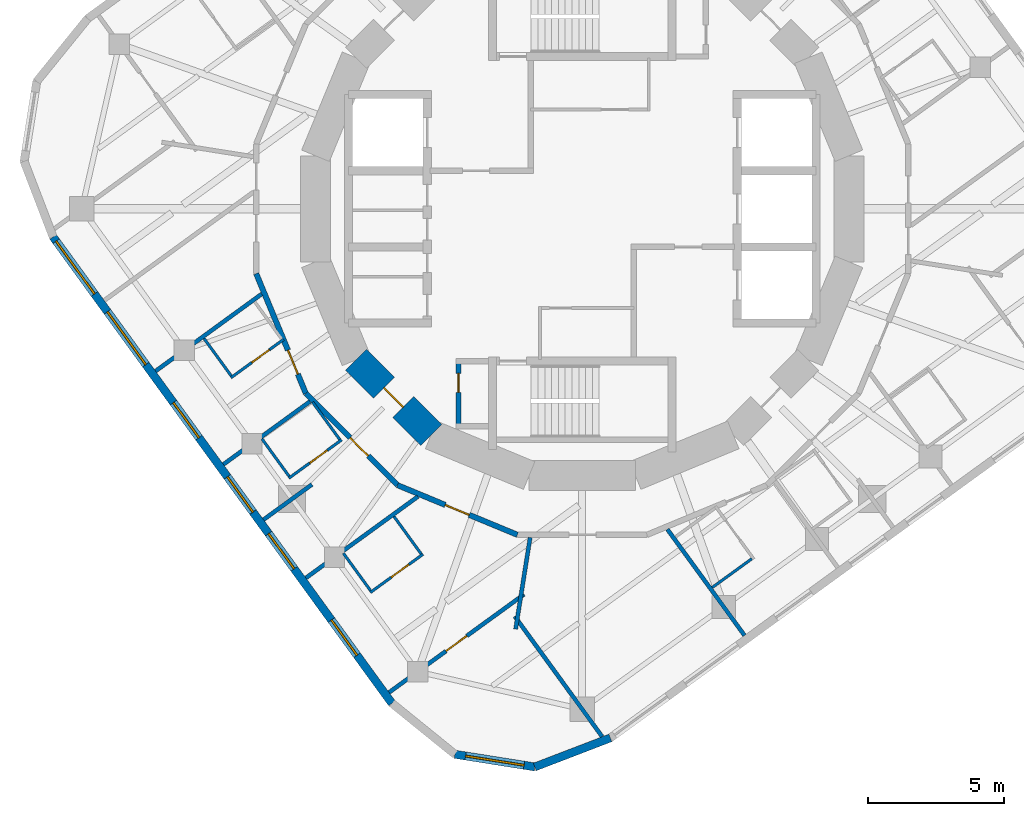
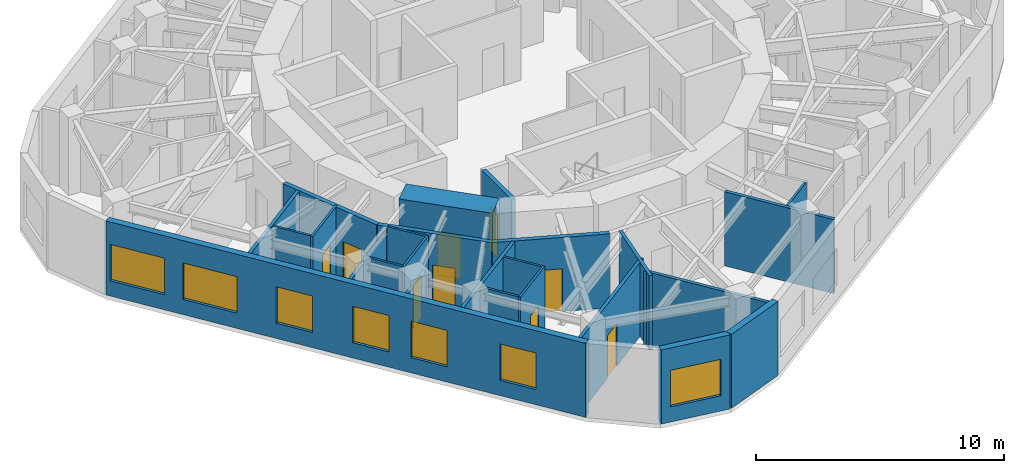
# One storey, part 3 of 9: 25 walls, 9 doors, 7 windows, 16 openings.
"""IFC4 building model written with IfcOpenShell, lengths in metres."""

import ifcopenshell
import ifcopenshell.guid

model = None  # the IFC model being written
_history = None  # IfcOwnerHistory: only IFC2X3 demands one
_inside = {}  # id of a spatial element -> (the spatial element, [elements in it])
_under = {}  # id of a project, library or spatial element -> (it, [spatial elements below it])
_declared = {}  # id of a project -> (the project, [libraries it declares])
_typed = {}  # id of a type object -> (the type object, [elements of that type])
_made_of = {}  # id of a material, layer set ... -> (it, [elements and type objects made of it])


def new_model(schema):
    """Start an empty IFC model of exactly this schema.

    Asked for "IFC4X3", IfcOpenShell would pick the latest addendum, in which some entities
    have other attributes; the version numbers below select the first issue.
    IFC2X3 requires an IfcOwnerHistory on every rooted entity: one is made here for all.
    """
    global model, _history
    if schema == "IFC4X3":
        model = ifcopenshell.file(schema_version=(4, 3, 0, 0))
    else:
        model = ifcopenshell.file(schema=schema)
    _inside.clear()
    _under.clear()
    _declared.clear()
    _typed.clear()
    _made_of.clear()
    _history = None
    if model.schema == "IFC2X3":
        org = make("IfcOrganization", Name="unknown")
        user = make(
            "IfcPersonAndOrganization",
            ThePerson=make("IfcPerson", FamilyName="unknown"),
            TheOrganization=org,
        )
        app = make(
            "IfcApplication",
            ApplicationDeveloper=org,
            Version="unknown",
            ApplicationFullName="unknown",
            ApplicationIdentifier="unknown",
        )
        _history = make(
            "IfcOwnerHistory",
            OwningUser=user,
            OwningApplication=app,
            ChangeAction="ADDED",
            CreationDate=0,
        )
    return model


def make(cls, **values):
    """One entity of the class cls with the attributes given. An attribute that is None is left unset."""
    return model.create_entity(
        cls, **{name: value for name, value in values.items() if value is not None}
    )


def rooted(cls, **values):
    """An entity with a GlobalId (a new one), such as an element, a storey or a relation."""
    return make(cls, GlobalId=ifcopenshell.guid.new(), OwnerHistory=_history, **values)


def si_unit(unit_type, name, prefix=None):
    """IfcSIUnit, for example si_unit("LENGTHUNIT", "METRE", prefix="MILLI")."""
    return make("IfcSIUnit", UnitType=unit_type, Prefix=prefix, Name=name)


def assignment(units):
    """IfcUnitAssignment: the units of a project."""
    return None if units is None else make("IfcUnitAssignment", Units=units)


def point(xyz):
    """IfcCartesianPoint."""
    return None if xyz is None else make("IfcCartesianPoint", Coordinates=xyz)


def direction(xyz):
    """IfcDirection."""
    return None if xyz is None else make("IfcDirection", DirectionRatios=xyz)


def frame(location, z_axis=None, x_axis=None):
    """IfcAxis2Placement3D, a coordinate frame: its origin and axes. An axis left out is left unset."""
    return make(
        "IfcAxis2Placement3D",
        Location=point(location),
        Axis=direction(z_axis),
        RefDirection=direction(x_axis),
    )


def frame_2d(location, x_axis=None):
    """IfcAxis2Placement2D, a coordinate frame in the plane: its origin and x axis."""
    return make(
        "IfcAxis2Placement2D", Location=point(location), RefDirection=direction(x_axis)
    )


def origin():
    """The frame at (0, 0, 0) with its axes left unset."""
    return frame((0.0, 0.0, 0.0))


def place(relative_to, where):
    """IfcLocalPlacement: puts the frame where relative to a parent placement (None: the world)."""
    return make(
        "IfcLocalPlacement", PlacementRelTo=relative_to, RelativePlacement=where
    )


def context(
    kind, dimensions, precision=None, world=None, true_north=None, identifier=None
):
    """IfcGeometricRepresentationContext, for example the 3D "Model" context."""
    return make(
        "IfcGeometricRepresentationContext",
        ContextIdentifier=identifier,
        ContextType=kind,
        CoordinateSpaceDimension=dimensions,
        Precision=precision,
        WorldCoordinateSystem=world,
        TrueNorth=true_north,
    )


def subcontext(parent, identifier, kind, view, scale=None):
    """IfcGeometricRepresentationSubContext, for example "Body" below "Model"."""
    return make(
        "IfcGeometricRepresentationSubContext",
        ContextIdentifier=identifier,
        ContextType=kind,
        ParentContext=parent,
        TargetScale=scale,
        TargetView=view,
    )


def project(units=None, contexts=None):
    """IfcProject with its units and contexts."""
    return rooted(
        "IfcProject",
        Name="project",
        RepresentationContexts=contexts,
        UnitsInContext=assignment(units),
    )


def spatial(cls, under=None, at=None, **own):
    """A site, building, storey or space (cls), placed at a placement, below another one or the project."""
    s = rooted(cls, ObjectPlacement=at, **own)
    if under is not None:
        _under.setdefault(under.id(), (under, []))[1].append(s)
    return s


def profile(cls, at=None, kind="AREA", **sizes):
    """A parametric profile (cls). Its sizes go by their IFC names, for example OverallWidth=200.0."""
    return make(cls, ProfileType=kind, Position=at, **sizes)


def rectangle(**sizes):
    """IfcRectangleProfileDef."""
    return profile("IfcRectangleProfileDef", **sizes)


def extrude(swept, where, along, depth):
    """IfcExtrudedAreaSolid: the profile swept, set in the frame where, extruded along a direction by depth."""
    return make(
        "IfcExtrudedAreaSolid",
        SweptArea=swept,
        Position=where,
        ExtrudedDirection=direction(along),
        Depth=depth,
    )


def shape(context_of_items, identifier, shape_type, items):
    """IfcShapeRepresentation: the items that make up one representation, for example the "Body"."""
    return make(
        "IfcShapeRepresentation",
        ContextOfItems=context_of_items,
        RepresentationIdentifier=identifier,
        RepresentationType=shape_type,
        Items=items,
    )


def material(Name=None, Category=None):
    """IfcMaterial."""
    return make("IfcMaterial", Name=Name, Category=Category)


def layer(
    of_material, thickness, ventilated=None, Name=None, Category=None, Priority=None
):
    """IfcMaterialLayer: one layer of a wall or slab, of a material (None: an air gap)."""
    return make(
        "IfcMaterialLayer",
        Material=of_material,
        LayerThickness=thickness,
        IsVentilated=ventilated,
        Name=Name,
        Category=Category,
        Priority=Priority,
    )


def layer_set(layers, Name=None):
    """IfcMaterialLayerSet."""
    return make("IfcMaterialLayerSet", MaterialLayers=layers, LayerSetName=Name)


def made_of(thing, what):
    """Note that an element or type object is made of a material, layer set ...; save() writes the relation."""
    if what is not None:
        _made_of.setdefault(what.id(), (what, []))[1].append(thing)
    return thing


def type_object(cls, material=None, **own):
    """A type object (cls), such as IfcWallType, which elements share."""
    return made_of(rooted(cls, **own), material)


def element(
    cls,
    number,
    at=None,
    inside=None,
    cuts=None,
    type_object=None,
    material=None,
    context=None,
    identifier="Body",
    shape_type=None,
    held_by="IfcProductDefinitionShape",
    body=None,
    shapes=None,
    **own,
):
    """One element of the class cls, such as IfcWall. Its Tag is "e" and its number.

    at: its placement. inside: the storey or other place that contains it. cuts: it is an
    opening in that element (IfcRelVoidsElement). A single representation is given by context,
    identifier, shape_type and body (its items); several are given by shapes. held_by: the class
    of the entity that holds the representations. save() writes the other relations.
    """
    e = rooted(cls, Tag="e%d" % number, ObjectPlacement=at, **own)
    if body is not None:
        shapes = [shape(context, identifier, shape_type, body)]
    if shapes is not None:
        e.Representation = make(held_by, Representations=shapes)
    if inside is not None:
        _inside.setdefault(inside.id(), (inside, []))[1].append(e)
    if cuts is not None:
        rooted(
            "IfcRelVoidsElement", RelatingBuildingElement=cuts, RelatedOpeningElement=e
        )
    if type_object is not None:
        _typed.setdefault(type_object.id(), (type_object, []))[1].append(e)
    return made_of(e, material)


def fill(opening, filler):
    """IfcRelFillsElement: the door or window that sits in an opening."""
    return rooted(
        "IfcRelFillsElement",
        RelatingOpeningElement=opening,
        RelatedBuildingElement=filler,
    )


def aggregate(whole, parts):
    """IfcRelAggregates: a whole, such as a stair, and the parts it consists of."""
    return rooted("IfcRelAggregates", RelatingObject=whole, RelatedObjects=parts)


def save(model, path):
    """Write the relations noted so far, then the file.

    IfcRelAggregates (storeys below a building ...), IfcRelContainedInSpatialStructure (elements
    in a storey), IfcRelDefinesByType, IfcRelAssociatesMaterial and IfcRelDeclares: one each for
    every whole, place, type object, material and project.
    """
    for whole, parts in _under.values():
        aggregate(whole, parts)
    for where, things in _inside.values():
        rooted(
            "IfcRelContainedInSpatialStructure",
            RelatedElements=things,
            RelatingStructure=where,
        )
    for kind, things in _typed.values():
        rooted("IfcRelDefinesByType", RelatedObjects=things, RelatingType=kind)
    for what, things in _made_of.values():
        rooted("IfcRelAssociatesMaterial", RelatedObjects=things, RelatingMaterial=what)
    for by, libraries in _declared.values():
        rooted("IfcRelDeclares", RelatingContext=by, RelatedDefinitions=libraries)
    model.write(path)


model = new_model("IFC4")

# Units and contexts
model_context = context("Model", 3, precision=1e-05, world=origin(), true_north=direction((0.0, 1.0)))
body_context = subcontext(model_context, "Body", "Model", "MODEL_VIEW")
ifc_project = project(units=[si_unit("LENGTHUNIT", "METRE"), si_unit("AREAUNIT", "SQUARE_METRE"), si_unit("VOLUMEUNIT", "CUBIC_METRE"), si_unit("PLANEANGLEUNIT", "RADIAN"), si_unit("MASSUNIT", "GRAM", prefix="KILO")], contexts=[model_context])

# Site, building, storey
site_placement = place(None, origin())
site = spatial("IfcSite", under=ifc_project, at=site_placement, CompositionType="ELEMENT")
building_placement = place(site_placement, origin())
building = spatial("IfcBuilding", under=site, at=building_placement, Name="Nakasero Lantern House", CompositionType="ELEMENT")
storey_placement = place(building_placement, frame((0.0, 0.0, 275.300048828125)))
storey = spatial("IfcBuildingStorey", under=building, at=storey_placement, Name="L67", CompositionType="ELEMENT", Elevation=275.300048828125)

# Wall, opening, door
ifc_material_1 = material(Name="Concrete C50/60", Category="concrete")
ifc_layer_1 = layer(ifc_material_1, 1.10009765625)
ifc_layer_set_1 = layer_set([ifc_layer_1], Name="Core wall 1100")
wall_type_1 = type_object("IfcWallType", Name="Core wall 1100", PredefinedType="SHEAR", material=ifc_layer_set_1)
wall_1_placement = place(storey_placement, frame((-8.314697265625, -5.5556640625, 0.0), z_axis=(0.0, 0.0, 1.0), x_axis=(0.707106781187, -0.707106781187, 0.0)))
wall_1 = element("IfcWall", 1, at=wall_1_placement, inside=storey, type_object=wall_type_1, Name="Core wall L67 facet 10", PredefinedType="SHEAR", context=body_context, shape_type="SweptSolid", body=[
    extrude(rectangle(XDim=3.90185546875, YDim=1.10009765625, at=frame_2d((1.950927734375, 0.0))), origin(), (0.0, 0.0, 1.0), 3.849853515625),
])
opening_1_placement = place(wall_1_placement, frame((1.450927734375, 0.0, 0.0)))
opening_1 = element("IfcOpeningElement", 2, at=opening_1_placement, cuts=wall_1, Name="Opening D05", PredefinedType="OPENING", context=body_context, shape_type="SweptSolid", body=[
    extrude(rectangle(XDim=1.0, YDim=2.10009765625, at=frame_2d((0.5, 1.050048828125))), frame((0.0, 0.570068359375, 0.0), z_axis=(0.0, -1.0, 0.0), x_axis=(1.0, 0.0, 0.0)), (0.0, 0.0, 1.0), 1.14013671875),
])
ifc_material_2 = material(Name="Timber C24", Category="wood")
door_type_1 = type_object("IfcDoorType", Name="Core door FD60S 1000", OperationType="SINGLE_SWING_LEFT", PredefinedType="DOOR", material=ifc_material_2)
door_1_placement = place(opening_1_placement, origin())
door_1 = element("IfcDoor", 3, at=door_1_placement, inside=storey, type_object=door_type_1, Name="Door L67 D-CORE10", OperationType="SINGLE_SWING_LEFT", OverallHeight=2.10009765625, OverallWidth=1.0, PredefinedType="DOOR", context=body_context, shape_type="SweptSolid", body=[
    extrude(rectangle(XDim=1.0, YDim=2.10009765625, at=frame_2d((0.5, 1.050048828125))), frame((0.0, 0.02490234375, 0.0), z_axis=(0.0, -1.0, 0.0), x_axis=(1.0, 0.0, 0.0)), (0.0, 0.0, 1.0), 0.050048828125),
])
fill(opening_1, door_1)

ifc_material_3 = material(Name="Blockwork", Category="masonry")
ifc_layer_2 = layer(ifc_material_3, 0.199951171875)
ifc_layer_set_2 = layer_set([ifc_layer_2], Name="Corridor wall 200")
wall_type_2 = type_object("IfcWallType", Name="Corridor wall 200", PredefinedType="PARTITIONING", material=ifc_layer_set_2)
wall_2_placement = place(storey_placement, frame((-2.384521484375, -11.98779296875, 0.0), z_axis=(0.0, 0.0, 1.0), x_axis=(-0.923885182372, 0.382669792111, 0.0)))
wall_2 = element("IfcWall", 4, at=wall_2_placement, inside=storey, type_object=wall_type_2, Name="Corridor wall L67 RC05a", PredefinedType="PARTITIONING", context=body_context, shape_type="SweptSolid", body=[
    extrude(rectangle(XDim=4.76904296875, YDim=0.199951171875, at=frame_2d((2.384521484375, 0.0))), origin(), (0.0, 0.0, 1.0), 3.64990234375),
])
opening_2_placement = place(wall_2_placement, frame((1.919921875, 0.0, 0.0)))
opening_2 = element("IfcOpeningElement", 5, at=opening_2_placement, cuts=wall_2, Name="Opening D01", PredefinedType="OPENING", context=body_context, shape_type="SweptSolid", body=[
    extrude(rectangle(XDim=0.949951171875, YDim=2.10009765625, at=frame_2d((0.47509765625, 1.050048828125))), frame((0.0, 0.119873046875, 0.0), z_axis=(0.0, -1.0, 0.0), x_axis=(1.0, 0.0, 0.0)), (0.0, 0.0, 1.0), 0.239990234375),
])
ifc_material_4 = material(Name="Timber C24", Category="wood")
door_type_2 = type_object("IfcDoorType", Name="Bedroom door FD30S 950", OperationType="SINGLE_SWING_LEFT", PredefinedType="DOOR", material=ifc_material_4)
door_2_placement = place(opening_2_placement, origin())
door_2 = element("IfcDoor", 6, at=door_2_placement, inside=storey, type_object=door_type_2, Name="Door L67 D2-06", OperationType="SINGLE_SWING_RIGHT", OverallHeight=2.10009765625, OverallWidth=0.949951171875, PredefinedType="DOOR", context=body_context, shape_type="SweptSolid", body=[
    extrude(rectangle(XDim=0.949951171875, YDim=2.10009765625, at=frame_2d((0.47509765625, 1.050048828125))), frame((0.0, 0.02490234375, 0.0), z_axis=(0.0, -1.0, 0.0), x_axis=(1.0, 0.0, 0.0)), (0.0, 0.0, 1.0), 0.050048828125),
])
fill(opening_2, door_2)

wall_3_placement = place(storey_placement, frame((-6.79052734375, -10.162841796875, 0.0), z_axis=(0.0, 0.0, 1.0), x_axis=(-0.707106781187, 0.707106781187, 0.0)))
wall_3 = element("IfcWall", 7, at=wall_3_placement, inside=storey, type_object=wall_type_2, Name="Corridor wall L67 RC06a", PredefinedType="PARTITIONING", context=body_context, shape_type="SweptSolid", body=[
    extrude(rectangle(XDim=4.769287109375, YDim=0.199951171875, at=frame_2d((2.384765625, 0.0))), origin(), (0.0, 0.0, 1.0), 3.64990234375),
])
opening_3_placement = place(wall_3_placement, frame((1.52001953125, 0.0, 0.0)))
opening_3 = element("IfcOpeningElement", 8, at=opening_3_placement, cuts=wall_3, Name="Opening D01", PredefinedType="OPENING", context=body_context, shape_type="SweptSolid", body=[
    extrude(rectangle(XDim=0.949951171875, YDim=2.10009765625, at=frame_2d((0.47509765625, 1.050048828125))), frame((0.0, 0.119873046875, 0.0), z_axis=(0.0, -1.0, 0.0), x_axis=(1.0, 0.0, 0.0)), (0.0, 0.0, 1.0), 0.239990234375),
])
door_3_placement = place(opening_3_placement, origin())
door_3 = element("IfcDoor", 9, at=door_3_placement, inside=storey, type_object=door_type_2, Name="Door L67 D2-04", OperationType="SINGLE_SWING_LEFT", OverallHeight=2.10009765625, OverallWidth=0.949951171875, PredefinedType="DOOR", context=body_context, shape_type="SweptSolid", body=[
    extrude(rectangle(XDim=0.949951171875, YDim=2.10009765625, at=frame_2d((0.47509765625, 1.050048828125))), frame((0.0, 0.02490234375, 0.0), z_axis=(0.0, -1.0, 0.0), x_axis=(1.0, 0.0, 0.0)), (0.0, 0.0, 1.0), 0.050048828125),
])
fill(opening_3, door_3)

wall_4_placement = place(storey_placement, frame((-10.162841796875, -6.79052734375, 0.0), z_axis=(0.0, 0.0, 1.0), x_axis=(-0.382669792111, 0.923885182372, 0.0)))
wall_4 = element("IfcWall", 10, at=wall_4_placement, inside=storey, type_object=wall_type_2, Name="Corridor wall L67 RC07a", PredefinedType="PARTITIONING", context=body_context, shape_type="SweptSolid", body=[
    extrude(rectangle(XDim=4.76904296875, YDim=0.199951171875, at=frame_2d((2.384521484375, 0.0))), origin(), (0.0, 0.0, 1.0), 3.64990234375),
])
opening_4_placement = place(wall_4_placement, frame((0.77001953125, 0.0, 0.0)))
opening_4 = element("IfcOpeningElement", 11, at=opening_4_placement, cuts=wall_4, Name="Opening D01", PredefinedType="OPENING", context=body_context, shape_type="SweptSolid", body=[
    extrude(rectangle(XDim=0.949951171875, YDim=2.10009765625, at=frame_2d((0.47509765625, 1.050048828125))), frame((0.0, 0.119873046875, 0.0), z_axis=(0.0, -1.0, 0.0), x_axis=(1.0, 0.0, 0.0)), (0.0, 0.0, 1.0), 0.239990234375),
])
door_4_placement = place(opening_4_placement, origin())
door_4 = element("IfcDoor", 12, at=door_4_placement, inside=storey, type_object=door_type_2, Name="Door L67 D2-03", OperationType="SINGLE_SWING_LEFT", OverallHeight=2.10009765625, OverallWidth=0.949951171875, PredefinedType="DOOR", context=body_context, shape_type="SweptSolid", body=[
    extrude(rectangle(XDim=0.949951171875, YDim=2.10009765625, at=frame_2d((0.47509765625, 1.050048828125))), frame((0.0, 0.02490234375, 0.0), z_axis=(0.0, -1.0, 0.0), x_axis=(1.0, 0.0, 0.0)), (0.0, 0.0, 1.0), 0.050048828125),
])
fill(opening_4, door_4)

ifc_material_5 = material(Name="Blockwork", Category="masonry")
ifc_layer_3 = layer(ifc_material_5, 0.10009765625)
ifc_layer_set_3 = layer_set([ifc_layer_3], Name="En-suite wall 100")
wall_type_3 = type_object("IfcWallType", Name="En-suite wall 100", PredefinedType="PARTITIONING", material=ifc_layer_set_3)
wall_5_placement = place(storey_placement, frame((-10.97705078125, -4.80126953125, 0.0), z_axis=(0.0, 0.0, 1.0), x_axis=(-0.809026317077, -0.587772420479, 0.0)))
wall_5 = element("IfcWall", 13, at=wall_5_placement, inside=storey, type_object=wall_type_3, Name="En-suite wall L67 ES2-03", PredefinedType="PARTITIONING", context=body_context, shape_type="SweptSolid", body=[
    extrude(rectangle(XDim=2.39990234375, YDim=0.10009765625, at=frame_2d((1.199951171875, 0.0))), origin(), (0.0, 0.0, 1.0), 3.64990234375),
])
opening_5_placement = place(wall_5_placement, frame((0.64990234375, 0.0, 0.0)))
opening_5 = element("IfcOpeningElement", 14, at=opening_5_placement, cuts=wall_5, Name="Opening D02", PredefinedType="OPENING", context=body_context, shape_type="SweptSolid", body=[
    extrude(rectangle(XDim=0.800048828125, YDim=2.10009765625, at=frame_2d((0.39990234375, 1.050048828125))), frame((0.0, 0.070068359375, 0.0), z_axis=(0.0, -1.0, 0.0), x_axis=(1.0, 0.0, 0.0)), (0.0, 0.0, 1.0), 0.14013671875),
])
ifc_material_6 = material(Name="Timber C24", Category="wood")
door_type_3 = type_object("IfcDoorType", Name="En-suite door 800", OperationType="SINGLE_SWING_RIGHT", PredefinedType="DOOR", material=ifc_material_6)
door_5_placement = place(opening_5_placement, origin())
door_5 = element("IfcDoor", 15, at=door_5_placement, inside=storey, type_object=door_type_3, Name="Door L67 DE2-03", OperationType="SINGLE_SWING_LEFT", OverallHeight=2.10009765625, OverallWidth=0.800048828125, PredefinedType="DOOR", context=body_context, shape_type="SweptSolid", body=[
    extrude(rectangle(XDim=0.800048828125, YDim=2.10009765625, at=frame_2d((0.39990234375, 1.050048828125))), frame((0.0, 0.02490234375, 0.0), z_axis=(0.0, -1.0, 0.0), x_axis=(1.0, 0.0, 0.0)), (0.0, 0.0, 1.0), 0.050048828125),
])
fill(opening_5, door_5)

# Wall
wall_6_placement = place(storey_placement, frame((-13.906982421875, -4.766845703125, 0.0), z_axis=(0.0, 0.0, 1.0), x_axis=(0.587821529301, -0.808990636343, 0.0)))
element("IfcWall", 16, at=wall_6_placement, inside=storey, type_object=wall_type_3, Name="En-suite wall L67 EE2-03", PredefinedType="PARTITIONING", context=body_context, shape_type="SweptSolid", body=[
    extrude(rectangle(XDim=1.699951171875, YDim=0.10009765625, at=frame_2d((0.85009765625, 0.0))), origin(), (0.0, 0.0, 1.0), 3.64990234375),
])

# Wall, opening, door
wall_7_placement = place(storey_placement, frame((-8.846435546875, -8.495849609375, 0.0), z_axis=(0.0, 0.0, 1.0), x_axis=(-0.809026317077, -0.587772420479, 0.0)))
wall_7 = element("IfcWall", 17, at=wall_7_placement, inside=storey, type_object=wall_type_3, Name="En-suite wall L67 ES2-04", PredefinedType="PARTITIONING", context=body_context, shape_type="SweptSolid", body=[
    extrude(rectangle(XDim=2.39990234375, YDim=0.10009765625, at=frame_2d((1.199951171875, 0.0))), origin(), (0.0, 0.0, 1.0), 3.64990234375),
])
opening_6_placement = place(wall_7_placement, frame((0.64990234375, 0.0, 0.0)))
opening_6 = element("IfcOpeningElement", 18, at=opening_6_placement, cuts=wall_7, Name="Opening D02", PredefinedType="OPENING", context=body_context, shape_type="SweptSolid", body=[
    extrude(rectangle(XDim=0.800048828125, YDim=2.10009765625, at=frame_2d((0.39990234375, 1.050048828125))), frame((0.0, 0.070068359375, 0.0), z_axis=(0.0, -1.0, 0.0), x_axis=(1.0, 0.0, 0.0)), (0.0, 0.0, 1.0), 0.14013671875),
])
door_6_placement = place(opening_6_placement, origin())
door_6 = element("IfcDoor", 19, at=door_6_placement, inside=storey, type_object=door_type_3, Name="Door L67 DE2-04", OperationType="SINGLE_SWING_LEFT", OverallHeight=2.10009765625, OverallWidth=0.800048828125, PredefinedType="DOOR", context=body_context, shape_type="SweptSolid", body=[
    extrude(rectangle(XDim=0.800048828125, YDim=2.10009765625, at=frame_2d((0.39990234375, 1.050048828125))), frame((0.0, 0.02490234375, 0.0), z_axis=(0.0, -1.0, 0.0), x_axis=(1.0, 0.0, 0.0)), (0.0, 0.0, 1.0), 0.050048828125),
])
fill(opening_6, door_6)

# Walls
wall_8_placement = place(storey_placement, frame((-11.7763671875, -8.461181640625, 0.0), z_axis=(0.0, 0.0, 1.0), x_axis=(0.58775323954, -0.809040252033, 0.0)))
element("IfcWall", 20, at=wall_8_placement, inside=storey, type_object=wall_type_3, Name="En-suite wall L67 EE2-04", PredefinedType="PARTITIONING", context=body_context, shape_type="SweptSolid", body=[
    extrude(rectangle(XDim=1.7001953125, YDim=0.10009765625, at=frame_2d((0.85009765625, 0.0))), origin(), (0.0, 0.0, 1.0), 3.64990234375),
])
wall_9_placement = place(storey_placement, frame((-9.91552734375, -7.109375, 0.0), z_axis=(0.0, 0.0, 1.0), x_axis=(0.587821529301, -0.808990636343, 0.0)))
element("IfcWall", 21, at=wall_9_placement, inside=storey, type_object=wall_type_3, Name="En-suite wall L67 EI2-04", PredefinedType="PARTITIONING", context=body_context, shape_type="SweptSolid", body=[
    extrude(rectangle(XDim=1.699951171875, YDim=0.10009765625, at=frame_2d((0.85009765625, 0.0))), origin(), (0.0, 0.0, 1.0), 3.64990234375),
])

# Wall, opening, door
wall_10_placement = place(storey_placement, frame((-5.852783203125, -12.7001953125, 0.0), z_axis=(0.0, 0.0, 1.0), x_axis=(-0.809026317077, -0.587772420479, 0.0)))
wall_10 = element("IfcWall", 22, at=wall_10_placement, inside=storey, type_object=wall_type_3, Name="En-suite wall L67 ES2-06", PredefinedType="PARTITIONING", context=body_context, shape_type="SweptSolid", body=[
    extrude(rectangle(XDim=2.39990234375, YDim=0.10009765625, at=frame_2d((1.199951171875, 0.0))), origin(), (0.0, 0.0, 1.0), 3.64990234375),
])
opening_7_placement = place(wall_10_placement, frame((0.64990234375, 0.0, 0.0)))
opening_7 = element("IfcOpeningElement", 23, at=opening_7_placement, cuts=wall_10, Name="Opening D02", PredefinedType="OPENING", context=body_context, shape_type="SweptSolid", body=[
    extrude(rectangle(XDim=0.800048828125, YDim=2.10009765625, at=frame_2d((0.39990234375, 1.050048828125))), frame((0.0, 0.070068359375, 0.0), z_axis=(0.0, -1.0, 0.0), x_axis=(1.0, 0.0, 0.0)), (0.0, 0.0, 1.0), 0.14013671875),
])
door_7_placement = place(opening_7_placement, origin())
door_7 = element("IfcDoor", 24, at=door_7_placement, inside=storey, type_object=door_type_3, Name="Door L67 DE2-06", OperationType="SINGLE_SWING_LEFT", OverallHeight=2.10009765625, OverallWidth=0.800048828125, PredefinedType="DOOR", context=body_context, shape_type="SweptSolid", body=[
    extrude(rectangle(XDim=0.800048828125, YDim=2.10009765625, at=frame_2d((0.39990234375, 1.050048828125))), frame((0.0, 0.02490234375, 0.0), z_axis=(0.0, -1.0, 0.0), x_axis=(1.0, 0.0, 0.0)), (0.0, 0.0, 1.0), 0.050048828125),
])
fill(opening_7, door_7)

# Walls
wall_11_placement = place(storey_placement, frame((-8.78271484375, -12.665771484375, 0.0), z_axis=(0.0, 0.0, 1.0), x_axis=(0.587821529301, -0.808990636343, 0.0)))
element("IfcWall", 25, at=wall_11_placement, inside=storey, type_object=wall_type_3, Name="En-suite wall L67 EE2-06", PredefinedType="PARTITIONING", context=body_context, shape_type="SweptSolid", body=[
    extrude(rectangle(XDim=1.699951171875, YDim=0.10009765625, at=frame_2d((0.85009765625, 0.0))), origin(), (0.0, 0.0, 1.0), 3.64990234375),
])
wall_12_placement = place(storey_placement, frame((-6.921875, -11.313720703125, 0.0), z_axis=(0.0, 0.0, 1.0), x_axis=(0.58775323954, -0.809040252033, 0.0)))
element("IfcWall", 26, at=wall_12_placement, inside=storey, type_object=wall_type_3, Name="En-suite wall L67 EI2-06", PredefinedType="PARTITIONING", context=body_context, shape_type="SweptSolid", body=[
    extrude(rectangle(XDim=1.7001953125, YDim=0.10009765625, at=frame_2d((0.85009765625, 0.0))), origin(), (0.0, 0.0, 1.0), 3.64990234375),
])
wall_13_placement = place(storey_placement, frame((4.781005859375, -13.926513671875, 0.0), z_axis=(0.0, 0.0, 1.0), x_axis=(0.808958916286, 0.58786518162, 0.0)))
element("IfcWall", 27, at=wall_13_placement, inside=storey, type_object=wall_type_3, Name="En-suite wall L67 EE3-03", PredefinedType="PARTITIONING", context=body_context, shape_type="SweptSolid", body=[
    extrude(rectangle(XDim=1.7998046875, YDim=0.10009765625, at=frame_2d((0.89990234375, 0.0))), origin(), (0.0, 0.0, 1.0), 3.64990234375),
])

# Wall, openings, windows
ifc_material_7 = material(Name="Aluminium rainscreen on blockwork", Category="masonry")
ifc_layer_4 = layer(ifc_material_7, 0.300048828125)
ifc_layer_set_4 = layer_set([ifc_layer_4], Name="Facade wall 300")
wall_type_4 = type_object("IfcWallType", Name="Facade wall 300", PredefinedType="SOLIDWALL", material=ifc_layer_set_4)
wall_14_placement = place(storey_placement, frame((-19.4580078125, -1.03466796875, 0.0), z_axis=(0.0, 0.0, 1.0), x_axis=(0.587790233451, -0.809013375328, 0.0)))
wall_14 = element("IfcWall", 28, at=wall_14_placement, inside=storey, type_object=wall_type_4, Name="Facade wall L67 FW2S", PredefinedType="SOLIDWALL", context=body_context, shape_type="SweptSolid", body=[
    extrude(rectangle(XDim=21.199951171875, YDim=0.300048828125, at=frame_2d((10.60009765625, 0.0))), origin(), (0.0, 0.0, 1.0), 3.64990234375),
])
opening_8_placement = place(wall_14_placement, frame((7.52783203125, 0.0, 0.75)))
opening_8 = element("IfcOpeningElement", 29, at=opening_8_placement, cuts=wall_14, Name="Opening W01", PredefinedType="OPENING", context=body_context, shape_type="SweptSolid", body=[
    extrude(rectangle(XDim=1.60009765625, YDim=1.800048828125, at=frame_2d((0.800048828125, 0.89990234375))), frame((0.0, 0.169921875, 0.0), z_axis=(0.0, -1.0, 0.0), x_axis=(1.0, 0.0, 0.0)), (0.0, 0.0, 1.0), 0.340087890625),
])
opening_9_placement = place(wall_14_placement, frame((10.904052734375, 0.0, 0.75)))
opening_9 = element("IfcOpeningElement", 30, at=opening_9_placement, cuts=wall_14, Name="Opening W01", PredefinedType="OPENING", context=body_context, shape_type="SweptSolid", body=[
    extrude(rectangle(XDim=1.60009765625, YDim=1.800048828125, at=frame_2d((0.800048828125, 0.89990234375))), frame((0.0, 0.169921875, 0.0), z_axis=(0.0, -1.0, 0.0), x_axis=(1.0, 0.0, 0.0)), (0.0, 0.0, 1.0), 0.340087890625),
])
opening_10_placement = place(wall_14_placement, frame((13.484619140625, 0.0, 0.75)))
opening_10 = element("IfcOpeningElement", 31, at=opening_10_placement, cuts=wall_14, Name="Opening W01", PredefinedType="OPENING", context=body_context, shape_type="SweptSolid", body=[
    extrude(rectangle(XDim=1.60009765625, YDim=1.800048828125, at=frame_2d((0.800048828125, 0.89990234375))), frame((0.0, 0.169921875, 0.0), z_axis=(0.0, -1.0, 0.0), x_axis=(1.0, 0.0, 0.0)), (0.0, 0.0, 1.0), 0.340087890625),
])
opening_11_placement = place(wall_14_placement, frame((17.410888671875, 0.0, 0.75)))
opening_11 = element("IfcOpeningElement", 32, at=opening_11_placement, cuts=wall_14, Name="Opening W01", PredefinedType="OPENING", context=body_context, shape_type="SweptSolid", body=[
    extrude(rectangle(XDim=1.60009765625, YDim=1.800048828125, at=frame_2d((0.800048828125, 0.89990234375))), frame((0.0, 0.169921875, 0.0), z_axis=(0.0, -1.0, 0.0), x_axis=(1.0, 0.0, 0.0)), (0.0, 0.0, 1.0), 0.340087890625),
])
opening_12_placement = place(wall_14_placement, frame((0.1904296875, 0.0, 0.75)))
opening_12 = element("IfcOpeningElement", 33, at=opening_12_placement, cuts=wall_14, Name="Opening W03", PredefinedType="OPENING", context=body_context, shape_type="SweptSolid", body=[
    extrude(rectangle(XDim=2.39990234375, YDim=1.800048828125, at=frame_2d((1.199951171875, 0.89990234375))), frame((0.0, 0.169921875, 0.0), z_axis=(0.0, -1.0, 0.0), x_axis=(1.0, 0.0, 0.0)), (0.0, 0.0, 1.0), 0.340087890625),
])
opening_13_placement = place(wall_14_placement, frame((3.401611328125, 0.0, 0.75)))
opening_13 = element("IfcOpeningElement", 34, at=opening_13_placement, cuts=wall_14, Name="Opening W03", PredefinedType="OPENING", context=body_context, shape_type="SweptSolid", body=[
    extrude(rectangle(XDim=2.39990234375, YDim=1.800048828125, at=frame_2d((1.199951171875, 0.89990234375))), frame((0.0, 0.169921875, 0.0), z_axis=(0.0, -1.0, 0.0), x_axis=(1.0, 0.0, 0.0)), (0.0, 0.0, 1.0), 0.340087890625),
])
ifc_material_8 = material(Name="Aluminium 6063-T6 and glass", Category="aluminium")
window_type_1 = type_object("IfcWindowType", Name="Bedroom window 1600x1800", PartitioningType="SINGLE_PANEL", PredefinedType="WINDOW", material=ifc_material_8)
window_1_placement = place(opening_8_placement, origin())
window_1 = element("IfcWindow", 35, at=window_1_placement, inside=storey, type_object=window_type_1, Name="Window L67 WN2-03", OverallHeight=1.800048828125, OverallWidth=1.60009765625, PartitioningType="SINGLE_PANEL", PredefinedType="WINDOW", context=body_context, shape_type="SweptSolid", body=[
    extrude(rectangle(XDim=1.60009765625, YDim=1.800048828125, at=frame_2d((0.800048828125, 0.89990234375))), frame((0.0, 0.030029296875, 0.0), z_axis=(0.0, -1.0, 0.0), x_axis=(1.0, 0.0, 0.0)), (0.0, 0.0, 1.0), 0.06005859375),
])
fill(opening_8, window_1)
window_2_placement = place(opening_9_placement, origin())
window_2 = element("IfcWindow", 36, at=window_2_placement, inside=storey, type_object=window_type_1, Name="Window L67 WN2-04", OverallHeight=1.800048828125, OverallWidth=1.60009765625, PartitioningType="SINGLE_PANEL", PredefinedType="WINDOW", context=body_context, shape_type="SweptSolid", body=[
    extrude(rectangle(XDim=1.60009765625, YDim=1.800048828125, at=frame_2d((0.800048828125, 0.89990234375))), frame((0.0, 0.030029296875, 0.0), z_axis=(0.0, -1.0, 0.0), x_axis=(1.0, 0.0, 0.0)), (0.0, 0.0, 1.0), 0.06005859375),
])
fill(opening_9, window_2)
window_3_placement = place(opening_10_placement, origin())
window_3 = element("IfcWindow", 37, at=window_3_placement, inside=storey, type_object=window_type_1, Name="Window L67 WN2-05", OverallHeight=1.800048828125, OverallWidth=1.60009765625, PartitioningType="SINGLE_PANEL", PredefinedType="WINDOW", context=body_context, shape_type="SweptSolid", body=[
    extrude(rectangle(XDim=1.60009765625, YDim=1.800048828125, at=frame_2d((0.800048828125, 0.89990234375))), frame((0.0, 0.030029296875, 0.0), z_axis=(0.0, -1.0, 0.0), x_axis=(1.0, 0.0, 0.0)), (0.0, 0.0, 1.0), 0.06005859375),
])
fill(opening_10, window_3)
window_4_placement = place(opening_11_placement, origin())
window_4 = element("IfcWindow", 38, at=window_4_placement, inside=storey, type_object=window_type_1, Name="Window L67 WN2-06", OverallHeight=1.800048828125, OverallWidth=1.60009765625, PartitioningType="SINGLE_PANEL", PredefinedType="WINDOW", context=body_context, shape_type="SweptSolid", body=[
    extrude(rectangle(XDim=1.60009765625, YDim=1.800048828125, at=frame_2d((0.800048828125, 0.89990234375))), frame((0.0, 0.030029296875, 0.0), z_axis=(0.0, -1.0, 0.0), x_axis=(1.0, 0.0, 0.0)), (0.0, 0.0, 1.0), 0.06005859375),
])
fill(opening_11, window_4)
ifc_material_9 = material(Name="Aluminium 6063-T6 and glass", Category="aluminium")
window_type_2 = type_object("IfcWindowType", Name="Lounge window 2400x1800", PartitioningType="SINGLE_PANEL", PredefinedType="WINDOW", material=ifc_material_9)
window_5_placement = place(opening_12_placement, origin())
window_5 = element("IfcWindow", 39, at=window_5_placement, inside=storey, type_object=window_type_2, Name="Window L67 WK2", OverallHeight=1.800048828125, OverallWidth=2.39990234375, PartitioningType="SINGLE_PANEL", PredefinedType="WINDOW", context=body_context, shape_type="SweptSolid", body=[
    extrude(rectangle(XDim=2.39990234375, YDim=1.800048828125, at=frame_2d((1.199951171875, 0.89990234375))), frame((0.0, 0.030029296875, 0.0), z_axis=(0.0, -1.0, 0.0), x_axis=(1.0, 0.0, 0.0)), (0.0, 0.0, 1.0), 0.06005859375),
])
fill(opening_12, window_5)
window_6_placement = place(opening_13_placement, origin())
window_6 = element("IfcWindow", 40, at=window_6_placement, inside=storey, type_object=window_type_2, Name="Window L67 WL2", OverallHeight=1.800048828125, OverallWidth=2.39990234375, PartitioningType="SINGLE_PANEL", PredefinedType="WINDOW", context=body_context, shape_type="SweptSolid", body=[
    extrude(rectangle(XDim=2.39990234375, YDim=1.800048828125, at=frame_2d((1.199951171875, 0.89990234375))), frame((0.0, 0.030029296875, 0.0), z_axis=(0.0, -1.0, 0.0), x_axis=(1.0, 0.0, 0.0)), (0.0, 0.0, 1.0), 0.06005859375),
])
fill(opening_13, window_6)

# Wall, opening, window
wall_15_placement = place(storey_placement, frame((-4.683837890625, -20.05908203125, 0.0), z_axis=(0.0, 0.0, 1.0), x_axis=(0.987691704133, -0.156413227021, 0.0)))
wall_15 = element("IfcWall", 41, at=wall_15_placement, inside=storey, type_object=wall_type_4, Name="Facade wall L67 FW2C2", PredefinedType="SOLIDWALL", context=body_context, shape_type="SweptSolid", body=[
    extrude(rectangle(XDim=2.9765625, YDim=0.300048828125, at=frame_2d((1.48828125, 0.0))), origin(), (0.0, 0.0, 1.0), 3.64990234375),
])
opening_14_placement = place(wall_15_placement, frame((0.39990234375, 0.0, 0.75)))
opening_14 = element("IfcOpeningElement", 42, at=opening_14_placement, cuts=wall_15, Name="Opening W221", PredefinedType="OPENING", context=body_context, shape_type="SweptSolid", body=[
    extrude(rectangle(XDim=2.176025390625, YDim=1.800048828125, at=frame_2d((1.087890625, 0.89990234375))), frame((0.0, 0.169921875, 0.0), z_axis=(0.0, -1.0, 0.0), x_axis=(1.0, 0.0, 0.0)), (0.0, 0.0, 1.0), 0.340087890625),
])
ifc_material_10 = material(Name="Aluminium 6063-T6 and glass", Category="aluminium")
window_type_3 = type_object("IfcWindowType", Name="Corner window 2176x1800", PartitioningType="SINGLE_PANEL", PredefinedType="WINDOW", material=ifc_material_10)
window_7_placement = place(opening_14_placement, origin())
window_7 = element("IfcWindow", 43, at=window_7_placement, inside=storey, type_object=window_type_3, Name="Window L67 WC2", OverallHeight=1.800048828125, OverallWidth=2.176025390625, PartitioningType="SINGLE_PANEL", PredefinedType="WINDOW", context=body_context, shape_type="SweptSolid", body=[
    extrude(rectangle(XDim=2.176025390625, YDim=1.800048828125, at=frame_2d((1.087890625, 0.89990234375))), frame((0.0, 0.030029296875, 0.0), z_axis=(0.0, -1.0, 0.0), x_axis=(1.0, 0.0, 0.0)), (0.0, 0.0, 1.0), 0.06005859375),
])
fill(opening_14, window_7)

# Wall
wall_16_placement = place(storey_placement, frame((-1.743896484375, -20.524658203125, 0.0), z_axis=(0.0, 0.0, 1.0), x_axis=(0.933573745966, 0.35838535244, 0.0)))
element("IfcWall", 44, at=wall_16_placement, inside=storey, type_object=wall_type_4, Name="Facade wall L67 FW2C3", PredefinedType="SOLIDWALL", context=body_context, shape_type="SweptSolid", body=[
    extrude(rectangle(XDim=2.976318359375, YDim=0.300048828125, at=frame_2d((1.48828125, 0.0))), origin(), (0.0, 0.0, 1.0), 3.64990234375),
])

# Wall, opening, door
ifc_material_11 = material(Name="Blockwork", Category="masonry")
ifc_layer_5 = layer(ifc_material_11, 0.199951171875)
ifc_layer_set_5 = layer_set([ifc_layer_5], Name="Fire lobby wall 200")
wall_type_5 = type_object("IfcWallType", Name="Fire lobby wall 200", PredefinedType="PARTITIONING", material=ifc_layer_set_5)
wall_17_placement = place(storey_placement, frame((-4.550048828125, -5.60009765625, 0.0), z_axis=(0.0, 0.0, 1.0), x_axis=(0.0, -1.0, 0.0)))
wall_17 = element("IfcWall", 45, at=wall_17_placement, inside=storey, type_object=wall_type_5, Name="Fire lobby wall L67 W-RS2W", PredefinedType="PARTITIONING", context=body_context, shape_type="SweptSolid", body=[
    extrude(rectangle(XDim=2.39990234375, YDim=0.199951171875, at=frame_2d((1.199951171875, 0.0))), origin(), (0.0, 0.0, 1.0), 3.64990234375),
])
opening_15_placement = place(wall_17_placement, frame((0.449951171875, 0.0, 0.0)))
opening_15 = element("IfcOpeningElement", 46, at=opening_15_placement, cuts=wall_17, Name="Opening D06", PredefinedType="OPENING", context=body_context, shape_type="SweptSolid", body=[
    extrude(rectangle(XDim=0.699951171875, YDim=2.10009765625, at=frame_2d((0.35009765625, 1.050048828125))), frame((0.0, 0.119873046875, 0.0), z_axis=(0.0, -1.0, 0.0), x_axis=(1.0, 0.0, 0.0)), (0.0, 0.0, 1.0), 0.239990234375),
])
ifc_material_12 = material(Name="Steel S355", Category="steel")
door_type_4 = type_object("IfcDoorType", Name="Riser door FD60 700", OperationType="SINGLE_SWING_LEFT", PredefinedType="DOOR", material=ifc_material_12)
door_8_placement = place(opening_15_placement, origin())
door_8 = element("IfcDoor", 47, at=door_8_placement, inside=storey, type_object=door_type_4, Name="Door L67 D-RS2", OperationType="SINGLE_SWING_LEFT", OverallHeight=2.10009765625, OverallWidth=0.699951171875, PredefinedType="DOOR", context=body_context, shape_type="SweptSolid", body=[
    extrude(rectangle(XDim=0.699951171875, YDim=2.10009765625, at=frame_2d((0.35009765625, 1.050048828125))), frame((0.0, 0.02490234375, 0.0), z_axis=(0.0, -1.0, 0.0), x_axis=(1.0, 0.0, 0.0)), (0.0, 0.0, 1.0), 0.050048828125),
])
fill(opening_15, door_8)

# Walls
ifc_material_13 = material(Name="Blockwork", Category="masonry")
ifc_layer_6 = layer(ifc_material_13, 0.14990234375)
ifc_layer_set_6 = layer_set([ifc_layer_6], Name="Party wall 150")
wall_type_6 = type_object("IfcWallType", Name="Party wall 150", PredefinedType="PARTITIONING", material=ifc_layer_set_6)
wall_18_placement = place(storey_placement, frame((-9.939208984375, -10.13818359375, 0.0), z_axis=(0.0, 0.0, 1.0), x_axis=(-0.808990345923, -0.587821928992, 0.0)))
element("IfcWall", 48, at=wall_18_placement, inside=storey, type_object=wall_type_6, Name="Party wall L67 PN2-05", PredefinedType="PARTITIONING", context=body_context, shape_type="SweptSolid", body=[
    extrude(rectangle(XDim=2.199951171875, YDim=0.14990234375, at=frame_2d((1.10009765625, 0.0))), origin(), (0.0, 0.0, 1.0), 3.294921875),
])
wall_19_placement = place(storey_placement, frame((-11.7861328125, -3.133056640625, 0.0), z_axis=(0.0, 0.0, 1.0), x_axis=(-0.809000848856, -0.587807474051, 0.0)))
element("IfcWall", 49, at=wall_19_placement, inside=storey, type_object=wall_type_6, Name="Party wall L67 PW2-03", PredefinedType="PARTITIONING", context=body_context, shape_type="SweptSolid", body=[
    extrude(rectangle(XDim=4.8232421875, YDim=0.14990234375, at=frame_2d((2.41162109375, 0.0))), origin(), (0.0, 0.0, 1.0), 3.64990234375),
])
wall_20_placement = place(storey_placement, frame((-10.009765625, -7.085205078125, 0.0), z_axis=(0.0, 0.0, 1.0), x_axis=(-0.809022902379, -0.587777120537, 0.0)))
element("IfcWall", 50, at=wall_20_placement, inside=storey, type_object=wall_type_6, Name="Party wall L67 PW2-04", PredefinedType="PARTITIONING", context=body_context, shape_type="SweptSolid", body=[
    extrude(rectangle(XDim=3.937255859375, YDim=0.14990234375, at=frame_2d((1.96875, 0.0))), origin(), (0.0, 0.0, 1.0), 3.294921875),
])
wall_21_placement = place(storey_placement, frame((-6.04150390625, -10.581298828125, 0.0), z_axis=(0.0, 0.0, 1.0), x_axis=(-0.808997200429, -0.587812495358, 0.0)))
element("IfcWall", 51, at=wall_21_placement, inside=storey, type_object=wall_type_6, Name="Party wall L67 PW2-06", PredefinedType="PARTITIONING", context=body_context, shape_type="SweptSolid", body=[
    extrude(rectangle(XDim=5.0927734375, YDim=0.14990234375, at=frame_2d((2.54638671875, 0.0))), origin(), (0.0, 0.0, 1.0), 3.64990234375),
])

# Wall, opening, door
wall_22_placement = place(storey_placement, frame((-2.137939453125, -14.1767578125, 0.0), z_axis=(0.0, 0.0, 1.0), x_axis=(-0.809024975628, -0.587774266883, 0.0)))
wall_22 = element("IfcWall", 52, at=wall_22_placement, inside=storey, type_object=wall_type_6, Name="Party wall L67 PW2-07", PredefinedType="PARTITIONING", context=body_context, shape_type="SweptSolid", body=[
    extrude(rectangle(XDim=6.137451171875, YDim=0.14990234375, at=frame_2d((3.06884765625, 0.0))), origin(), (0.0, 0.0, 1.0), 3.64990234375),
])
opening_16_placement = place(wall_22_placement, frame((2.60009765625, 0.0, 0.0)))
opening_16 = element("IfcOpeningElement", 53, at=opening_16_placement, cuts=wall_22, Name="Opening D01", PredefinedType="OPENING", context=body_context, shape_type="SweptSolid", body=[
    extrude(rectangle(XDim=0.949951171875, YDim=2.10009765625, at=frame_2d((0.47509765625, 1.050048828125))), frame((0.0, 0.094970703125, 0.0), z_axis=(0.0, -1.0, 0.0), x_axis=(1.0, 0.0, 0.0)), (0.0, 0.0, 1.0), 0.18994140625),
])
door_9_placement = place(opening_16_placement, origin())
door_9 = element("IfcDoor", 54, at=door_9_placement, inside=storey, type_object=door_type_2, Name="Door L67 DC2", OperationType="SINGLE_SWING_RIGHT", OverallHeight=2.10009765625, OverallWidth=0.949951171875, PredefinedType="DOOR", context=body_context, shape_type="SweptSolid", body=[
    extrude(rectangle(XDim=0.949951171875, YDim=2.10009765625, at=frame_2d((0.47509765625, 1.050048828125))), frame((0.0, 0.02490234375, 0.0), z_axis=(0.0, -1.0, 0.0), x_axis=(1.0, 0.0, 0.0)), (0.0, 0.0, 1.0), 0.050048828125),
])
fill(opening_16, door_9)

# Walls
wall_23_placement = place(storey_placement, frame((-1.91455078125, -12.087890625, 0.0), z_axis=(0.0, 0.0, 1.0), x_axis=(-0.156429454775, -0.98768913413, 0.0)))
element("IfcWall", 55, at=wall_23_placement, inside=storey, type_object=wall_type_6, Name="Party wall L67 PD2", PredefinedType="PARTITIONING", context=body_context, shape_type="SweptSolid", body=[
    extrude(rectangle(XDim=3.41015625, YDim=0.14990234375, at=frame_2d((1.705078125, 0.0))), origin(), (0.0, 0.0, 1.0), 3.64990234375),
])
wall_24_placement = place(storey_placement, frame((-2.48095703125, -14.9853515625, 0.0), z_axis=(0.0, 0.0, 1.0), x_axis=(0.587775959987, -0.809023745549, 0.0)))
element("IfcWall", 56, at=wall_24_placement, inside=storey, type_object=wall_type_6, Name="Party wall L67 PW3-01", PredefinedType="PARTITIONING", context=body_context, shape_type="SweptSolid", body=[
    extrude(rectangle(XDim=5.466552734375, YDim=0.14990234375, at=frame_2d((2.7333984375, 0.0))), origin(), (0.0, 0.0, 1.0), 3.64990234375),
])
wall_25_placement = place(storey_placement, frame((3.133056640625, -11.7861328125, 0.0), z_axis=(0.0, 0.0, 1.0), x_axis=(0.587807474051, -0.809000848856, 0.0)))
element("IfcWall", 57, at=wall_25_placement, inside=storey, type_object=wall_type_6, Name="Party wall L67 PW3-03", PredefinedType="PARTITIONING", context=body_context, shape_type="SweptSolid", body=[
    extrude(rectangle(XDim=4.8232421875, YDim=0.14990234375, at=frame_2d((2.41162109375, 0.0))), origin(), (0.0, 0.0, 1.0), 3.64990234375),
])

save(model, "model.ifc")
